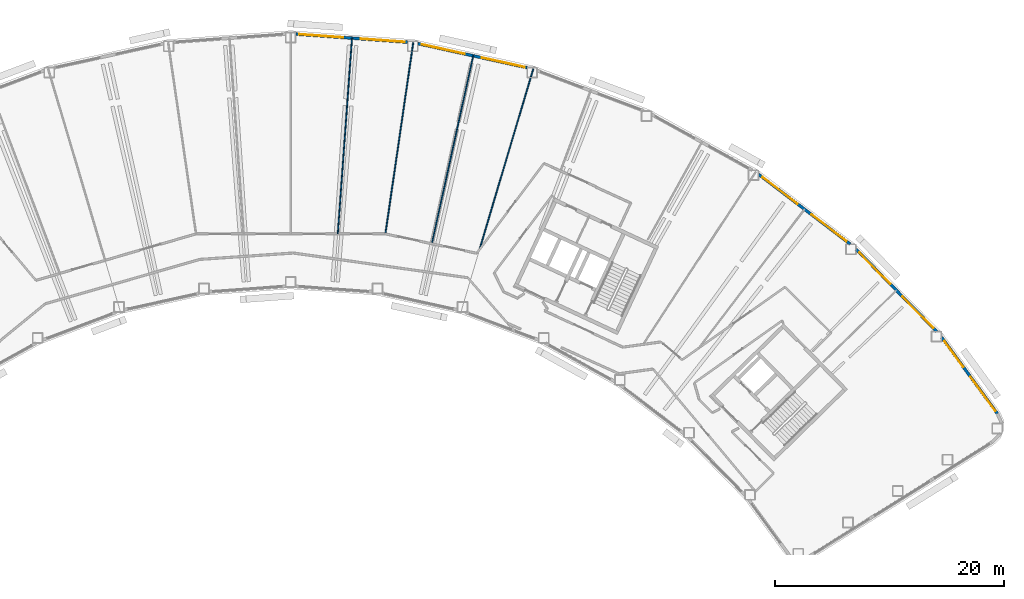
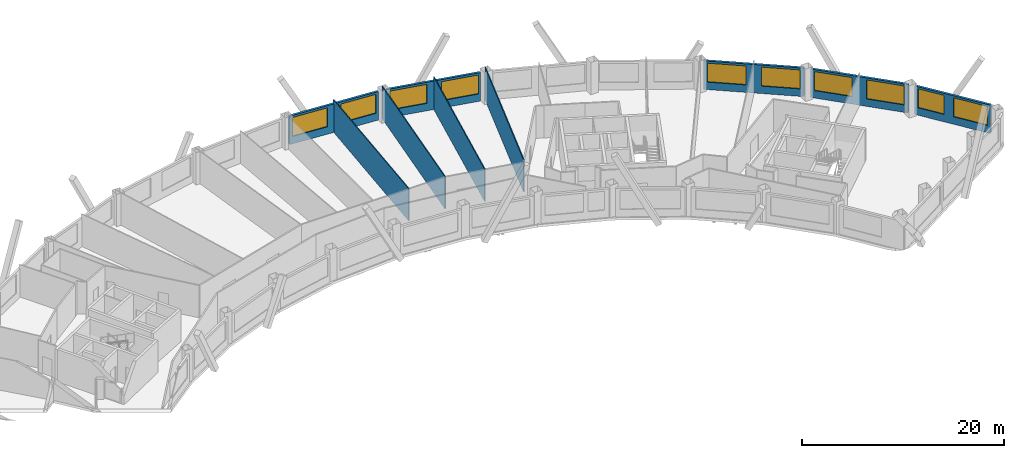
# One storey, part 10 of 14: 10 windows, 9 walls, 10 openings.
"""IFC4 building model written with IfcOpenShell, lengths in metres."""

from ifc_helpers import new_model, si_unit, direction, frame, frame_2d, origin, place, context, subcontext, project, spatial, rectangle, extrude, material, layer, layer_set, type_object, element, fill, save


model = new_model("IFC4")

# Units and contexts
model_context = context("Model", 3, precision=1e-05, world=origin(), true_north=direction((0.0, 1.0)))
body_context = subcontext(model_context, "Body", "Model", "MODEL_VIEW")
ifc_project = project(units=[si_unit("LENGTHUNIT", "METRE"), si_unit("AREAUNIT", "SQUARE_METRE"), si_unit("VOLUMEUNIT", "CUBIC_METRE"), si_unit("PLANEANGLEUNIT", "RADIAN"), si_unit("MASSUNIT", "GRAM", prefix="KILO")], contexts=[model_context])

# Site, building, storey
site_placement = place(None, origin())
site = spatial("IfcSite", under=ifc_project, at=site_placement, CompositionType="ELEMENT")
building_placement = place(site_placement, origin())
building = spatial("IfcBuilding", under=site, at=building_placement, Name="Tuul Gate Civic Tower", CompositionType="ELEMENT")
storey_placement = place(building_placement, frame((0.0, 0.0, 209.5)))
storey = spatial("IfcBuildingStorey", under=building, at=storey_placement, Name="Level 47", CompositionType="ELEMENT", Elevation=209.5)

# Wall, openings, windows
ifc_material_1 = material(Name="Precast concrete C40/50", Category="concrete")
ifc_layer_1 = layer(ifc_material_1, 0.25)
ifc_layer_set_1 = layer_set([ifc_layer_1], Name="Precast concrete C40/50")
wall_type_1 = type_object("IfcWallType", Name="External wall", PredefinedType="STANDARD", material=ifc_layer_set_1)
wall_1_placement = place(storey_placement, frame((67.629150390625, -14.27978515625, 0.0), z_axis=(0.0, 0.0, 1.0), x_axis=(-0.589817033075, 0.807536914014, 0.0)))
wall_1 = element("IfcWall", 1, at=wall_1_placement, inside=storey, type_object=wall_type_1, Name="External wall", PredefinedType="STANDARD", context=body_context, shape_type="SweptSolid", body=[
    extrude(rectangle(XDim=8.251953125, YDim=0.25, at=frame_2d((4.1259765625, 0.0))), origin(), (0.0, 0.0, 1.0), 3.449951171875),
])
opening_1_placement = place(wall_1_placement, frame((0.30078125, 0.0, 0.89990234375)))
opening_1 = element("IfcOpeningElement", 2, at=opening_1_placement, cuts=wall_1, Name="Opening W21", PredefinedType="OPENING", context=body_context, shape_type="SweptSolid", body=[
    extrude(rectangle(XDim=3.699951171875, YDim=2.300048828125, at=frame_2d((1.85009765625, 1.14990234375))), frame((0.0, 0.135009765625, 0.0), z_axis=(0.0, -1.0, 0.0), x_axis=(1.0, 0.0, 0.0)), (0.0, 0.0, 1.0), 0.27001953125),
])
opening_2_placement = place(wall_1_placement, frame((5.052001953125, 0.0, 0.89990234375)))
opening_2 = element("IfcOpeningElement", 3, at=opening_2_placement, cuts=wall_1, Name="Opening W23", PredefinedType="OPENING", context=body_context, shape_type="SweptSolid", body=[
    extrude(rectangle(XDim=2.800048828125, YDim=2.300048828125, at=frame_2d((1.39990234375, 1.14990234375))), frame((0.0, 0.135009765625, 0.0), z_axis=(0.0, -1.0, 0.0), x_axis=(1.0, 0.0, 0.0)), (0.0, 0.0, 1.0), 0.27001953125),
])
ifc_material_2 = material(Name="Glass", Category="glass")
window_type_1 = type_object("IfcWindowType", Name="Window W21 3700 x 2300", PartitioningType="SINGLE_PANEL", PredefinedType="WINDOW", material=ifc_material_2)
window_1_placement = place(opening_1_placement, origin())
window_1 = element("IfcWindow", 4, at=window_1_placement, inside=storey, type_object=window_type_1, Name="Window", OverallHeight=2.300048828125, OverallWidth=3.699951171875, PartitioningType="SINGLE_PANEL", PredefinedType="WINDOW", context=body_context, shape_type="SweptSolid", body=[
    extrude(rectangle(XDim=3.699951171875, YDim=2.300048828125, at=frame_2d((1.85009765625, 1.14990234375))), frame((0.0, 0.030029296875, 0.0), z_axis=(0.0, -1.0, 0.0), x_axis=(1.0, 0.0, 0.0)), (0.0, 0.0, 1.0), 0.06005859375),
])
fill(opening_1, window_1)
ifc_material_3 = material(Name="Glass", Category="glass")
window_type_2 = type_object("IfcWindowType", Name="Window W23 2800 x 2300", PartitioningType="SINGLE_PANEL", PredefinedType="WINDOW", material=ifc_material_3)
window_2_placement = place(opening_2_placement, origin())
window_2 = element("IfcWindow", 5, at=window_2_placement, inside=storey, type_object=window_type_2, Name="Window", OverallHeight=2.300048828125, OverallWidth=2.800048828125, PartitioningType="SINGLE_PANEL", PredefinedType="WINDOW", context=body_context, shape_type="SweptSolid", body=[
    extrude(rectangle(XDim=2.800048828125, YDim=2.300048828125, at=frame_2d((1.39990234375, 1.14990234375))), frame((0.0, 0.030029296875, 0.0), z_axis=(0.0, -1.0, 0.0), x_axis=(1.0, 0.0, 0.0)), (0.0, 0.0, 1.0), 0.06005859375),
])
fill(opening_2, window_2)

wall_2_placement = place(storey_placement, frame((62.3251953125, -7.10009765625, 0.0), z_axis=(0.0, 0.0, 1.0), x_axis=(-0.699993234942, 0.714149473875, 0.0)))
wall_2 = element("IfcWall", 6, at=wall_2_placement, inside=storey, type_object=wall_type_1, Name="External wall", PredefinedType="STANDARD", context=body_context, shape_type="SweptSolid", body=[
    extrude(rectangle(XDim=10.054443359375, YDim=0.25, at=frame_2d((5.02734375, 0.0))), origin(), (0.0, 0.0, 1.0), 3.449951171875),
])
opening_3_placement = place(wall_2_placement, frame((0.41552734375, 0.0, 0.89990234375)))
opening_3 = element("IfcOpeningElement", 7, at=opening_3_placement, cuts=wall_2, Name="Opening W22", PredefinedType="OPENING", context=body_context, shape_type="SweptSolid", body=[
    extrude(rectangle(XDim=3.85009765625, YDim=2.300048828125, at=frame_2d((1.925048828125, 1.14990234375))), frame((0.0, 0.135009765625, 0.0), z_axis=(0.0, -1.0, 0.0), x_axis=(1.0, 0.0, 0.0)), (0.0, 0.0, 1.0), 0.27001953125),
])
opening_4_placement = place(wall_2_placement, frame((5.787109375, 0.0, 0.89990234375)))
opening_4 = element("IfcOpeningElement", 8, at=opening_4_placement, cuts=wall_2, Name="Opening W22", PredefinedType="OPENING", context=body_context, shape_type="SweptSolid", body=[
    extrude(rectangle(XDim=3.85009765625, YDim=2.300048828125, at=frame_2d((1.925048828125, 1.14990234375))), frame((0.0, 0.135009765625, 0.0), z_axis=(0.0, -1.0, 0.0), x_axis=(1.0, 0.0, 0.0)), (0.0, 0.0, 1.0), 0.27001953125),
])
ifc_material_4 = material(Name="Glass", Category="glass")
window_type_3 = type_object("IfcWindowType", Name="Window W22 3850 x 2300", PartitioningType="SINGLE_PANEL", PredefinedType="WINDOW", material=ifc_material_4)
window_3_placement = place(opening_3_placement, origin())
window_3 = element("IfcWindow", 9, at=window_3_placement, inside=storey, type_object=window_type_3, Name="Window", OverallHeight=2.300048828125, OverallWidth=3.85009765625, PartitioningType="SINGLE_PANEL", PredefinedType="WINDOW", context=body_context, shape_type="SweptSolid", body=[
    extrude(rectangle(XDim=3.85009765625, YDim=2.300048828125, at=frame_2d((1.925048828125, 1.14990234375))), frame((0.0, 0.030029296875, 0.0), z_axis=(0.0, -1.0, 0.0), x_axis=(1.0, 0.0, 0.0)), (0.0, 0.0, 1.0), 0.06005859375),
])
fill(opening_3, window_3)
window_4_placement = place(opening_4_placement, origin())
window_4 = element("IfcWindow", 10, at=window_4_placement, inside=storey, type_object=window_type_3, Name="Window", OverallHeight=2.300048828125, OverallWidth=3.85009765625, PartitioningType="SINGLE_PANEL", PredefinedType="WINDOW", context=body_context, shape_type="SweptSolid", body=[
    extrude(rectangle(XDim=3.85009765625, YDim=2.300048828125, at=frame_2d((1.925048828125, 1.14990234375))), frame((0.0, 0.030029296875, 0.0), z_axis=(0.0, -1.0, 0.0), x_axis=(1.0, 0.0, 0.0)), (0.0, 0.0, 1.0), 0.06005859375),
])
fill(opening_4, window_4)

wall_3_placement = place(storey_placement, frame((54.782470703125, 0.52490234375, 0.0), z_axis=(0.0, 0.0, 1.0), x_axis=(-0.795600211162, 0.605822006862, 0.0)))
wall_3 = element("IfcWall", 11, at=wall_3_placement, inside=storey, type_object=wall_type_1, Name="External wall", PredefinedType="STANDARD", context=body_context, shape_type="SweptSolid", body=[
    extrude(rectangle(XDim=10.043212890625, YDim=0.25, at=frame_2d((5.021484375, 0.0))), origin(), (0.0, 0.0, 1.0), 3.449951171875),
])
opening_5_placement = place(wall_3_placement, frame((0.41162109375, 0.0, 0.89990234375)))
opening_5 = element("IfcOpeningElement", 12, at=opening_5_placement, cuts=wall_3, Name="Opening W22", PredefinedType="OPENING", context=body_context, shape_type="SweptSolid", body=[
    extrude(rectangle(XDim=3.85009765625, YDim=2.300048828125, at=frame_2d((1.925048828125, 1.14990234375))), frame((0.0, 0.135009765625, 0.0), z_axis=(0.0, -1.0, 0.0), x_axis=(1.0, 0.0, 0.0)), (0.0, 0.0, 1.0), 0.27001953125),
])
opening_6_placement = place(wall_3_placement, frame((5.782958984375, 0.0, 0.89990234375)))
opening_6 = element("IfcOpeningElement", 13, at=opening_6_placement, cuts=wall_3, Name="Opening W22", PredefinedType="OPENING", context=body_context, shape_type="SweptSolid", body=[
    extrude(rectangle(XDim=3.85009765625, YDim=2.300048828125, at=frame_2d((1.925048828125, 1.14990234375))), frame((0.0, 0.135009765625, 0.0), z_axis=(0.0, -1.0, 0.0), x_axis=(1.0, 0.0, 0.0)), (0.0, 0.0, 1.0), 0.27001953125),
])
window_5_placement = place(opening_5_placement, origin())
window_5 = element("IfcWindow", 14, at=window_5_placement, inside=storey, type_object=window_type_3, Name="Window", OverallHeight=2.300048828125, OverallWidth=3.85009765625, PartitioningType="SINGLE_PANEL", PredefinedType="WINDOW", context=body_context, shape_type="SweptSolid", body=[
    extrude(rectangle(XDim=3.85009765625, YDim=2.300048828125, at=frame_2d((1.925048828125, 1.14990234375))), frame((0.0, 0.030029296875, 0.0), z_axis=(0.0, -1.0, 0.0), x_axis=(1.0, 0.0, 0.0)), (0.0, 0.0, 1.0), 0.06005859375),
])
fill(opening_5, window_5)
window_6_placement = place(opening_6_placement, origin())
window_6 = element("IfcWindow", 15, at=window_6_placement, inside=storey, type_object=window_type_3, Name="Window", OverallHeight=2.300048828125, OverallWidth=3.85009765625, PartitioningType="SINGLE_PANEL", PredefinedType="WINDOW", context=body_context, shape_type="SweptSolid", body=[
    extrude(rectangle(XDim=3.85009765625, YDim=2.300048828125, at=frame_2d((1.925048828125, 1.14990234375))), frame((0.0, 0.030029296875, 0.0), z_axis=(0.0, -1.0, 0.0), x_axis=(1.0, 0.0, 0.0)), (0.0, 0.0, 1.0), 0.06005859375),
])
fill(opening_6, window_6)

wall_4_placement = place(storey_placement, frame((26.56591796875, 15.927490234375, 0.0), z_axis=(0.0, 0.0, 1.0), x_axis=(-0.976564786218, 0.215223647211, 0.0)))
wall_4 = element("IfcWall", 16, at=wall_4_placement, inside=storey, type_object=wall_type_1, Name="External wall", PredefinedType="STANDARD", context=body_context, shape_type="SweptSolid", body=[
    extrude(rectangle(XDim=9.75537109375, YDim=0.25, at=frame_2d((4.877685546875, 0.0))), origin(), (0.0, 0.0, 1.0), 3.449951171875),
])
opening_7_placement = place(wall_4_placement, frame((0.1953125, 0.0, 0.89990234375)))
opening_7 = element("IfcOpeningElement", 17, at=opening_7_placement, cuts=wall_4, Name="Opening W22", PredefinedType="OPENING", context=body_context, shape_type="SweptSolid", body=[
    extrude(rectangle(XDim=3.85009765625, YDim=2.300048828125, at=frame_2d((1.925048828125, 1.14990234375))), frame((0.0, 0.135009765625, 0.0), z_axis=(0.0, -1.0, 0.0), x_axis=(1.0, 0.0, 0.0)), (0.0, 0.0, 1.0), 0.27001953125),
])
opening_8_placement = place(wall_4_placement, frame((5.566650390625, 0.0, 0.89990234375)))
opening_8 = element("IfcOpeningElement", 18, at=opening_8_placement, cuts=wall_4, Name="Opening W22", PredefinedType="OPENING", context=body_context, shape_type="SweptSolid", body=[
    extrude(rectangle(XDim=3.85009765625, YDim=2.300048828125, at=frame_2d((1.925048828125, 1.14990234375))), frame((0.0, 0.135009765625, 0.0), z_axis=(0.0, -1.0, 0.0), x_axis=(1.0, 0.0, 0.0)), (0.0, 0.0, 1.0), 0.27001953125),
])
window_7_placement = place(opening_7_placement, origin())
window_7 = element("IfcWindow", 19, at=window_7_placement, inside=storey, type_object=window_type_3, Name="Window", OverallHeight=2.300048828125, OverallWidth=3.85009765625, PartitioningType="SINGLE_PANEL", PredefinedType="WINDOW", context=body_context, shape_type="SweptSolid", body=[
    extrude(rectangle(XDim=3.85009765625, YDim=2.300048828125, at=frame_2d((1.925048828125, 1.14990234375))), frame((0.0, 0.030029296875, 0.0), z_axis=(0.0, -1.0, 0.0), x_axis=(1.0, 0.0, 0.0)), (0.0, 0.0, 1.0), 0.06005859375),
])
fill(opening_7, window_7)
window_8_placement = place(opening_8_placement, origin())
window_8 = element("IfcWindow", 20, at=window_8_placement, inside=storey, type_object=window_type_3, Name="Window", OverallHeight=2.300048828125, OverallWidth=3.85009765625, PartitioningType="SINGLE_PANEL", PredefinedType="WINDOW", context=body_context, shape_type="SweptSolid", body=[
    extrude(rectangle(XDim=3.85009765625, YDim=2.300048828125, at=frame_2d((1.925048828125, 1.14990234375))), frame((0.0, 0.030029296875, 0.0), z_axis=(0.0, -1.0, 0.0), x_axis=(1.0, 0.0, 0.0)), (0.0, 0.0, 1.0), 0.06005859375),
])
fill(opening_8, window_8)

wall_5_placement = place(storey_placement, frame((16.138916015625, 18.152099609375, 0.0), z_axis=(0.0, 0.0, 1.0), x_axis=(-0.997380514853, 0.072333315912, 0.0)))
wall_5 = element("IfcWall", 21, at=wall_5_placement, inside=storey, type_object=wall_type_1, Name="External wall", PredefinedType="STANDARD", context=body_context, shape_type="SweptSolid", body=[
    extrude(rectangle(XDim=9.774658203125, YDim=0.25, at=frame_2d((4.88720703125, 0.0))), origin(), (0.0, 0.0, 1.0), 3.449951171875),
])
opening_9_placement = place(wall_5_placement, frame((0.253173828125, 0.0, 0.89990234375)))
opening_9 = element("IfcOpeningElement", 22, at=opening_9_placement, cuts=wall_5, Name="Opening W22", PredefinedType="OPENING", context=body_context, shape_type="SweptSolid", body=[
    extrude(rectangle(XDim=3.85009765625, YDim=2.300048828125, at=frame_2d((1.925048828125, 1.14990234375))), frame((0.0, 0.135009765625, 0.0), z_axis=(0.0, -1.0, 0.0), x_axis=(1.0, 0.0, 0.0)), (0.0, 0.0, 1.0), 0.27001953125),
])
opening_10_placement = place(wall_5_placement, frame((5.624267578125, 0.0, 0.89990234375)))
opening_10 = element("IfcOpeningElement", 23, at=opening_10_placement, cuts=wall_5, Name="Opening W22", PredefinedType="OPENING", context=body_context, shape_type="SweptSolid", body=[
    extrude(rectangle(XDim=3.85009765625, YDim=2.300048828125, at=frame_2d((1.925048828125, 1.14990234375))), frame((0.0, 0.135009765625, 0.0), z_axis=(0.0, -1.0, 0.0), x_axis=(1.0, 0.0, 0.0)), (0.0, 0.0, 1.0), 0.27001953125),
])
window_9_placement = place(opening_9_placement, origin())
window_9 = element("IfcWindow", 24, at=window_9_placement, inside=storey, type_object=window_type_3, Name="Window", OverallHeight=2.300048828125, OverallWidth=3.85009765625, PartitioningType="SINGLE_PANEL", PredefinedType="WINDOW", context=body_context, shape_type="SweptSolid", body=[
    extrude(rectangle(XDim=3.85009765625, YDim=2.300048828125, at=frame_2d((1.925048828125, 1.14990234375))), frame((0.0, 0.030029296875, 0.0), z_axis=(0.0, -1.0, 0.0), x_axis=(1.0, 0.0, 0.0)), (0.0, 0.0, 1.0), 0.06005859375),
])
fill(opening_9, window_9)
window_10_placement = place(opening_10_placement, origin())
window_10 = element("IfcWindow", 25, at=window_10_placement, inside=storey, type_object=window_type_3, Name="Window", OverallHeight=2.300048828125, OverallWidth=3.85009765625, PartitioningType="SINGLE_PANEL", PredefinedType="WINDOW", context=body_context, shape_type="SweptSolid", body=[
    extrude(rectangle(XDim=3.85009765625, YDim=2.300048828125, at=frame_2d((1.925048828125, 1.14990234375))), frame((0.0, 0.030029296875, 0.0), z_axis=(0.0, -1.0, 0.0), x_axis=(1.0, 0.0, 0.0)), (0.0, 0.0, 1.0), 0.06005859375),
])
fill(opening_10, window_10)

# Walls
ifc_material_5 = material(Name="Gypsum board partition")
ifc_layer_2 = layer(ifc_material_5, 0.10009765625)
ifc_layer_set_2 = layer_set([ifc_layer_2], Name="Gypsum board partition")
wall_type_2 = type_object("IfcWallType", Name="Partition P100", PredefinedType="PARTITIONING", material=ifc_layer_set_2)
wall_6_placement = place(storey_placement, frame((22.423095703125, 0.059814453125, 0.0), z_axis=(0.0, 0.0, 1.0), x_axis=(0.285204859686, 0.958466581583, 0.0)))
element("IfcWall", 26, at=wall_6_placement, inside=storey, type_object=wall_type_2, Name="p025", PredefinedType="PARTITIONING", context=body_context, shape_type="SweptSolid", body=[
    extrude(rectangle(XDim=16.435546875, YDim=0.10009765625, at=frame_2d((8.2177734375, 0.0))), origin(), (0.0, 0.0, 1.0), 3.89990234375),
])
wall_7_placement = place(storey_placement, frame((18.25732421875, 0.557373046875, 0.0), z_axis=(0.0, 0.0, 1.0), x_axis=(0.215224032841, 0.97656470123, 0.0)))
element("IfcWall", 27, at=wall_7_placement, inside=storey, type_object=wall_type_2, Name="p027", PredefinedType="PARTITIONING", context=body_context, shape_type="SweptSolid", body=[
    extrude(rectangle(XDim=16.80322265625, YDim=0.10009765625, at=frame_2d((8.401611328125, 0.0))), origin(), (0.0, 0.0, 1.0), 3.89990234375),
])
wall_8_placement = place(storey_placement, frame((14.2041015625, 1.417236328125, 0.0), z_axis=(0.0, 0.0, 1.0), x_axis=(0.144113929435, 0.98956110238, 0.0)))
element("IfcWall", 28, at=wall_8_placement, inside=storey, type_object=wall_type_2, Name="p029", PredefinedType="PARTITIONING", context=body_context, shape_type="SweptSolid", body=[
    extrude(rectangle(XDim=16.8798828125, YDim=0.10009765625, at=frame_2d((8.43994140625, 0.0))), origin(), (0.0, 0.0, 1.0), 3.89990234375),
])
wall_9_placement = place(storey_placement, frame((10.051025390625, 1.4267578125, 0.0), z_axis=(0.0, 0.0, 1.0), x_axis=(0.072243844527, 0.997386999578, 0.0)))
element("IfcWall", 29, at=wall_9_placement, inside=storey, type_object=wall_type_2, Name="p030", PredefinedType="PARTITIONING", context=body_context, shape_type="SweptSolid", body=[
    extrude(rectangle(XDim=17.126708984375, YDim=0.10009765625, at=frame_2d((8.5634765625, 0.0))), origin(), (0.0, 0.0, 1.0), 3.89990234375),
])

save(model, "model.ifc")
